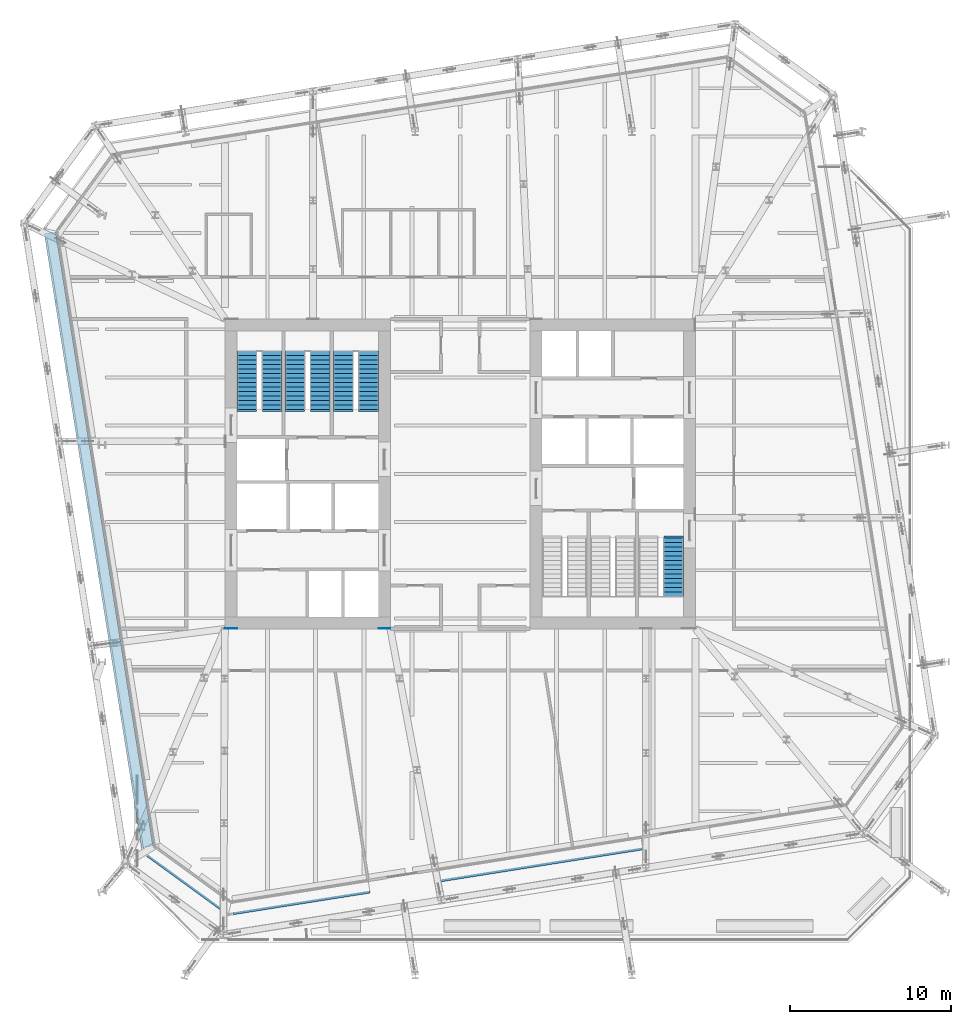
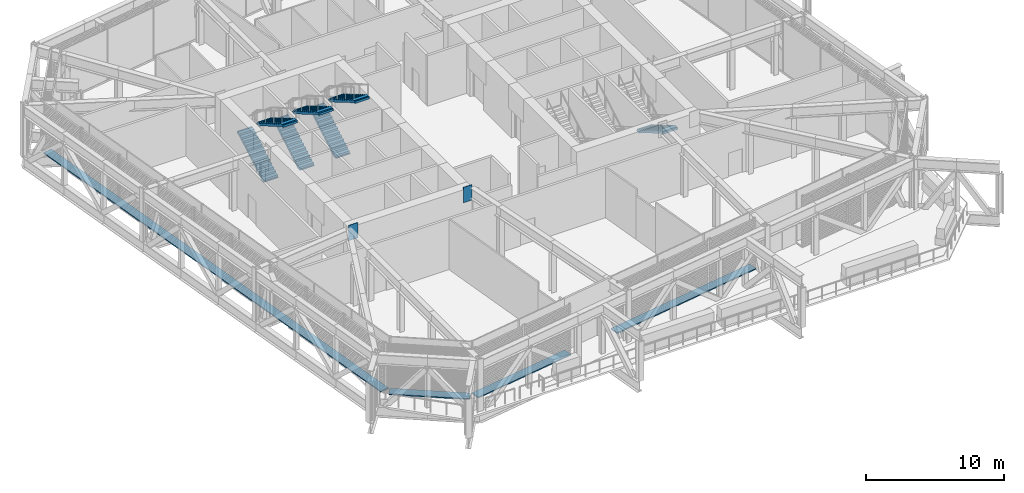
# One storey, part 22 of 32: 7 stair flights, 6 discrete accessories, 4 elements without a shape of their own.
"""IFC4 building model written with IfcOpenShell, lengths in metres."""

from ifc_helpers import new_model, si_unit, direction, frame, origin, origin_2d, place, context, subcontext, project, spatial, polyline, rectangle, outline, extrude, material, layer, layer_set, type_object, element, aggregate, save


model = new_model("IFC4")

# Units and contexts
model_context = context("Model", 3, precision=1e-05, world=origin(), true_north=direction((0.0, 1.0)))
body_context = subcontext(model_context, "Body", "Model", "MODEL_VIEW")
ifc_project = project(units=[si_unit("LENGTHUNIT", "METRE"), si_unit("AREAUNIT", "SQUARE_METRE"), si_unit("VOLUMEUNIT", "CUBIC_METRE"), si_unit("PLANEANGLEUNIT", "RADIAN"), si_unit("MASSUNIT", "GRAM", prefix="KILO")], contexts=[model_context])

# Site, building, storey
site_placement = place(None, origin())
site = spatial("IfcSite", under=ifc_project, at=site_placement, CompositionType="ELEMENT")
building_placement = place(site_placement, origin())
building = spatial("IfcBuilding", under=site, at=building_placement, Name="Millrace Tower", CompositionType="ELEMENT")
storey_placement = place(building_placement, frame((0.0, 0.0, 124.89990234375)))
storey = spatial("IfcBuildingStorey", under=building, at=storey_placement, Name="L27", CompositionType="ELEMENT", Elevation=124.89990234375)

# Stair, stair flights
ifc_material_1 = material(Name="Concrete C35", Category="concrete")
stair_type = type_object("IfcStairType", Name="Exit stair", PredefinedType="HALF_TURN_STAIR", material=ifc_material_1)
placement = place(storey_placement, origin())
stair_1 = element("IfcStair", 1, at=placement, inside=storey, type_object=stair_type, Name="Stair 1 W L27", PredefinedType="HALF_TURN_STAIR")
ifc_material_2 = material(Name="Concrete C35", Category="concrete")
stair_flight_type = type_object("IfcStairFlightType", Name="Exit stair flight", PredefinedType="STRAIGHT", material=ifc_material_2)
stair_flight_1_placement = place(storey_placement, frame((-13.2900390625, 4.0, 0.0), z_axis=(0.0, 0.0, 1.0), x_axis=(0.0, 1.0, 0.0)))
stair_flight_1 = element("IfcStairFlight", 2, at=stair_flight_1_placement, type_object=stair_flight_type, Name="ST12 flight 1", NumberOfRisers=14, NumberOfTreads=13, PredefinedType="STRAIGHT", RiserHeight=0.164285714, TreadLength=0.28, context=body_context, shape_type="SweptSolid", body=[
    extrude(outline(polyline([(-0.1201171875, -0.0400390625), (-0.1201171875, 0.0), (0.0, 0.0), (0.0, 0.164306640625), (0.280029296875, 0.164306640625), (0.280029296875, 0.32861328125), (0.56005859375, 0.32861328125), (0.56005859375, 0.492919921875), (0.840087890625, 0.492919921875), (0.840087890625, 0.6572265625), (1.1201171875, 0.6572265625), (1.1201171875, 0.821533203125), (1.39990234375, 0.821533203125), (1.39990234375, 0.985595703125), (1.679931640625, 0.985595703125), (1.679931640625, 1.14990234375), (1.9599609375, 1.14990234375), (1.9599609375, 1.314208984375), (2.239990234375, 1.314208984375), (2.239990234375, 1.478515625), (2.52001953125, 1.478515625), (2.52001953125, 1.642822265625), (2.800048828125, 1.642822265625), (2.800048828125, 1.80712890625), (3.080078125, 1.80712890625), (3.080078125, 1.971435546875), (3.360107421875, 1.971435546875), (3.360107421875, 2.1357421875), (3.639892578125, 2.1357421875), (3.639892578125, 2.15576171875), (3.760009765625, 2.15576171875), (3.760009765625, 1.9619140625), (3.639892578125, 1.9619140625), (0.296142578125, 0.0), (0.296142578125, -0.0400390625), (-0.1201171875, -0.0400390625)])), frame((0.0, 0.60986328125, 0.0), z_axis=(0.0, -1.0, 0.0), x_axis=(1.0, 0.0, 0.0)), (0.0, 0.0, 1.0), 1.219970703125),
])
stair_flight_2_placement = place(storey_placement, frame((-11.7099609375, 7.639892578125, 2.300048828125), z_axis=(0.0, 0.0, 1.0), x_axis=(0.0, -1.0, 0.0)))
stair_flight_2 = element("IfcStairFlight", 3, at=stair_flight_2_placement, type_object=stair_flight_type, Name="ST12 flight 2", NumberOfRisers=14, NumberOfTreads=13, PredefinedType="STRAIGHT", RiserHeight=0.164285714, TreadLength=0.28, context=body_context, shape_type="SweptSolid", body=[
    extrude(outline(polyline([(-0.1201171875, -0.0400390625), (-0.1201171875, 0.0), (0.0, 0.0), (0.0, 0.164306640625), (0.280029296875, 0.164306640625), (0.280029296875, 0.32861328125), (0.56005859375, 0.32861328125), (0.56005859375, 0.492919921875), (0.840087890625, 0.492919921875), (0.840087890625, 0.6572265625), (1.1201171875, 0.6572265625), (1.1201171875, 0.821533203125), (1.39990234375, 0.821533203125), (1.39990234375, 0.985595703125), (1.679931640625, 0.985595703125), (1.679931640625, 1.14990234375), (1.9599609375, 1.14990234375), (1.9599609375, 1.314208984375), (2.239990234375, 1.314208984375), (2.239990234375, 1.478515625), (2.52001953125, 1.478515625), (2.52001953125, 1.642822265625), (2.800048828125, 1.642822265625), (2.800048828125, 1.80712890625), (3.080078125, 1.80712890625), (3.080078125, 1.971435546875), (3.360107421875, 1.971435546875), (3.360107421875, 2.1357421875), (3.639892578125, 2.1357421875), (3.639892578125, 2.15576171875), (3.760009765625, 2.15576171875), (3.760009765625, 1.9619140625), (3.639892578125, 1.9619140625), (0.296142578125, 0.0), (0.296142578125, -0.0400390625), (-0.1201171875, -0.0400390625)])), frame((0.0, 0.60986328125, 0.0), z_axis=(0.0, -1.0, 0.0), x_axis=(1.0, 0.0, 0.0)), (0.0, 0.0, 1.0), 1.219970703125),
])
aggregate(stair_1, [stair_flight_1, stair_flight_2])

stair_2 = element("IfcStair", 4, at=placement, inside=storey, type_object=stair_type, Name="Stair 2 W L27", PredefinedType="HALF_TURN_STAIR")
stair_flight_3_placement = place(storey_placement, frame((-10.2900390625, 4.0, 0.0), z_axis=(0.0, 0.0, 1.0), x_axis=(0.0, 1.0, 0.0)))
stair_flight_3 = element("IfcStairFlight", 5, at=stair_flight_3_placement, type_object=stair_flight_type, Name="ST12 flight 1", NumberOfRisers=14, NumberOfTreads=13, PredefinedType="STRAIGHT", RiserHeight=0.164285714, TreadLength=0.28, context=body_context, shape_type="SweptSolid", body=[
    extrude(outline(polyline([(-0.1201171875, -0.0400390625), (-0.1201171875, 0.0), (0.0, 0.0), (0.0, 0.164306640625), (0.280029296875, 0.164306640625), (0.280029296875, 0.32861328125), (0.56005859375, 0.32861328125), (0.56005859375, 0.492919921875), (0.840087890625, 0.492919921875), (0.840087890625, 0.6572265625), (1.1201171875, 0.6572265625), (1.1201171875, 0.821533203125), (1.39990234375, 0.821533203125), (1.39990234375, 0.985595703125), (1.679931640625, 0.985595703125), (1.679931640625, 1.14990234375), (1.9599609375, 1.14990234375), (1.9599609375, 1.314208984375), (2.239990234375, 1.314208984375), (2.239990234375, 1.478515625), (2.52001953125, 1.478515625), (2.52001953125, 1.642822265625), (2.800048828125, 1.642822265625), (2.800048828125, 1.80712890625), (3.080078125, 1.80712890625), (3.080078125, 1.971435546875), (3.360107421875, 1.971435546875), (3.360107421875, 2.1357421875), (3.639892578125, 2.1357421875), (3.639892578125, 2.15576171875), (3.760009765625, 2.15576171875), (3.760009765625, 1.9619140625), (3.639892578125, 1.9619140625), (0.296142578125, 0.0), (0.296142578125, -0.0400390625), (-0.1201171875, -0.0400390625)])), frame((0.0, 0.60986328125, 0.0), z_axis=(0.0, -1.0, 0.0), x_axis=(1.0, 0.0, 0.0)), (0.0, 0.0, 1.0), 1.219970703125),
])
stair_flight_4_placement = place(storey_placement, frame((-8.7099609375, 7.639892578125, 2.300048828125), z_axis=(0.0, 0.0, 1.0), x_axis=(0.0, -1.0, 0.0)))
stair_flight_4 = element("IfcStairFlight", 6, at=stair_flight_4_placement, type_object=stair_flight_type, Name="ST12 flight 2", NumberOfRisers=14, NumberOfTreads=13, PredefinedType="STRAIGHT", RiserHeight=0.164285714, TreadLength=0.28, context=body_context, shape_type="SweptSolid", body=[
    extrude(outline(polyline([(-0.1201171875, -0.0400390625), (-0.1201171875, 0.0), (0.0, 0.0), (0.0, 0.164306640625), (0.280029296875, 0.164306640625), (0.280029296875, 0.32861328125), (0.56005859375, 0.32861328125), (0.56005859375, 0.492919921875), (0.840087890625, 0.492919921875), (0.840087890625, 0.6572265625), (1.1201171875, 0.6572265625), (1.1201171875, 0.821533203125), (1.39990234375, 0.821533203125), (1.39990234375, 0.985595703125), (1.679931640625, 0.985595703125), (1.679931640625, 1.14990234375), (1.9599609375, 1.14990234375), (1.9599609375, 1.314208984375), (2.239990234375, 1.314208984375), (2.239990234375, 1.478515625), (2.52001953125, 1.478515625), (2.52001953125, 1.642822265625), (2.800048828125, 1.642822265625), (2.800048828125, 1.80712890625), (3.080078125, 1.80712890625), (3.080078125, 1.971435546875), (3.360107421875, 1.971435546875), (3.360107421875, 2.1357421875), (3.639892578125, 2.1357421875), (3.639892578125, 2.15576171875), (3.760009765625, 2.15576171875), (3.760009765625, 1.9619140625), (3.639892578125, 1.9619140625), (0.296142578125, 0.0), (0.296142578125, -0.0400390625), (-0.1201171875, -0.0400390625)])), frame((0.0, 0.60986328125, 0.0), z_axis=(0.0, -1.0, 0.0), x_axis=(1.0, 0.0, 0.0)), (0.0, 0.0, 1.0), 1.219970703125),
])
aggregate(stair_2, [stair_flight_3, stair_flight_4])

stair_3 = element("IfcStair", 7, at=placement, inside=storey, type_object=stair_type, Name="Stair 3 W L27", PredefinedType="HALF_TURN_STAIR")
stair_flight_5_placement = place(storey_placement, frame((-7.2900390625, 4.0, 0.0), z_axis=(0.0, 0.0, 1.0), x_axis=(0.0, 1.0, 0.0)))
stair_flight_5 = element("IfcStairFlight", 8, at=stair_flight_5_placement, type_object=stair_flight_type, Name="ST12 flight 1", NumberOfRisers=14, NumberOfTreads=13, PredefinedType="STRAIGHT", RiserHeight=0.164285714, TreadLength=0.28, context=body_context, shape_type="SweptSolid", body=[
    extrude(outline(polyline([(-0.1201171875, -0.0400390625), (-0.1201171875, 0.0), (0.0, 0.0), (0.0, 0.164306640625), (0.280029296875, 0.164306640625), (0.280029296875, 0.32861328125), (0.56005859375, 0.32861328125), (0.56005859375, 0.492919921875), (0.840087890625, 0.492919921875), (0.840087890625, 0.6572265625), (1.1201171875, 0.6572265625), (1.1201171875, 0.821533203125), (1.39990234375, 0.821533203125), (1.39990234375, 0.985595703125), (1.679931640625, 0.985595703125), (1.679931640625, 1.14990234375), (1.9599609375, 1.14990234375), (1.9599609375, 1.314208984375), (2.239990234375, 1.314208984375), (2.239990234375, 1.478515625), (2.52001953125, 1.478515625), (2.52001953125, 1.642822265625), (2.800048828125, 1.642822265625), (2.800048828125, 1.80712890625), (3.080078125, 1.80712890625), (3.080078125, 1.971435546875), (3.360107421875, 1.971435546875), (3.360107421875, 2.1357421875), (3.639892578125, 2.1357421875), (3.639892578125, 2.15576171875), (3.760009765625, 2.15576171875), (3.760009765625, 1.9619140625), (3.639892578125, 1.9619140625), (0.296142578125, 0.0), (0.296142578125, -0.0400390625), (-0.1201171875, -0.0400390625)])), frame((0.0, 0.60986328125, 0.0), z_axis=(0.0, -1.0, 0.0), x_axis=(1.0, 0.0, 0.0)), (0.0, 0.0, 1.0), 1.219970703125),
])
stair_flight_6_placement = place(storey_placement, frame((-5.7099609375, 7.639892578125, 2.300048828125), z_axis=(0.0, 0.0, 1.0), x_axis=(0.0, -1.0, 0.0)))
stair_flight_6 = element("IfcStairFlight", 9, at=stair_flight_6_placement, type_object=stair_flight_type, Name="ST12 flight 2", NumberOfRisers=14, NumberOfTreads=13, PredefinedType="STRAIGHT", RiserHeight=0.164285714, TreadLength=0.28, context=body_context, shape_type="SweptSolid", body=[
    extrude(outline(polyline([(-0.1201171875, -0.0400390625), (-0.1201171875, 0.0), (0.0, 0.0), (0.0, 0.164306640625), (0.280029296875, 0.164306640625), (0.280029296875, 0.32861328125), (0.56005859375, 0.32861328125), (0.56005859375, 0.492919921875), (0.840087890625, 0.492919921875), (0.840087890625, 0.6572265625), (1.1201171875, 0.6572265625), (1.1201171875, 0.821533203125), (1.39990234375, 0.821533203125), (1.39990234375, 0.985595703125), (1.679931640625, 0.985595703125), (1.679931640625, 1.14990234375), (1.9599609375, 1.14990234375), (1.9599609375, 1.314208984375), (2.239990234375, 1.314208984375), (2.239990234375, 1.478515625), (2.52001953125, 1.478515625), (2.52001953125, 1.642822265625), (2.800048828125, 1.642822265625), (2.800048828125, 1.80712890625), (3.080078125, 1.80712890625), (3.080078125, 1.971435546875), (3.360107421875, 1.971435546875), (3.360107421875, 2.1357421875), (3.639892578125, 2.1357421875), (3.639892578125, 2.15576171875), (3.760009765625, 2.15576171875), (3.760009765625, 1.9619140625), (3.639892578125, 1.9619140625), (0.296142578125, 0.0), (0.296142578125, -0.0400390625), (-0.1201171875, -0.0400390625)])), frame((0.0, 0.60986328125, 0.0), z_axis=(0.0, -1.0, 0.0), x_axis=(1.0, 0.0, 0.0)), (0.0, 0.0, 1.0), 1.219970703125),
])
aggregate(stair_3, [stair_flight_5, stair_flight_6])

# Stair, stair flight
stair_4 = element("IfcStair", 10, at=placement, inside=storey, type_object=stair_type, Name="Stair 1 E L27", PredefinedType="HALF_TURN_STAIR")
stair_flight_7_placement = place(storey_placement, frame((13.2900390625, -4.0, 0.0), z_axis=(0.0, 0.0, 1.0), x_axis=(0.0, -1.0, 0.0)))
stair_flight_7 = element("IfcStairFlight", 11, at=stair_flight_7_placement, type_object=stair_flight_type, Name="ST12 flight 1", NumberOfRisers=14, NumberOfTreads=13, PredefinedType="STRAIGHT", RiserHeight=0.164285714, TreadLength=0.28, context=body_context, shape_type="SweptSolid", body=[
    extrude(outline(polyline([(-0.1201171875, -0.0400390625), (-0.1201171875, 0.0), (0.0, 0.0), (0.0, 0.164306640625), (0.280029296875, 0.164306640625), (0.280029296875, 0.32861328125), (0.56005859375, 0.32861328125), (0.56005859375, 0.492919921875), (0.840087890625, 0.492919921875), (0.840087890625, 0.6572265625), (1.1201171875, 0.6572265625), (1.1201171875, 0.821533203125), (1.39990234375, 0.821533203125), (1.39990234375, 0.985595703125), (1.679931640625, 0.985595703125), (1.679931640625, 1.14990234375), (1.9599609375, 1.14990234375), (1.9599609375, 1.314208984375), (2.239990234375, 1.314208984375), (2.239990234375, 1.478515625), (2.52001953125, 1.478515625), (2.52001953125, 1.642822265625), (2.800048828125, 1.642822265625), (2.800048828125, 1.80712890625), (3.080078125, 1.80712890625), (3.080078125, 1.971435546875), (3.360107421875, 1.971435546875), (3.360107421875, 2.1357421875), (3.639892578125, 2.1357421875), (3.639892578125, 2.15576171875), (3.760009765625, 2.15576171875), (3.760009765625, 1.9619140625), (3.639892578125, 1.9619140625), (0.296142578125, 0.0), (0.296142578125, -0.0400390625), (-0.1201171875, -0.0400390625)])), frame((0.0, 0.60986328125, 0.0), z_axis=(0.0, -1.0, 0.0), x_axis=(1.0, 0.0, 0.0)), (0.0, 0.0, 1.0), 1.219970703125),
])
aggregate(stair_4, [stair_flight_7])

# Discrete accessories
ifc_material_3 = material(Name="Steel ASTM A572 Grade 50", Category="steel")
ifc_layer_1 = layer(ifc_material_3, 0.0400390625)
ifc_layer_set_1 = layer_set([ifc_layer_1], Name="Steel ASTM A572 Grade 50")
discrete_accessory_type_1 = type_object("IfcDiscreteAccessoryType", Name="Cast-in anchor plate 730x1360x40", PredefinedType="ANCHORPLATE", material=ifc_layer_set_1)
discrete_accessory_1_placement = place(storey_placement, frame((-4.715087890625, -9.610107421875, 3.961181640625), z_axis=(0.0, -1.0, 0.0), x_axis=(1.0, 0.0, 0.0)))
element("IfcDiscreteAccessory", 12, at=discrete_accessory_1_placement, inside=storey, type_object=discrete_accessory_type_1, Name="Cast-in anchor plate TRS-L27-C03-T04", PredefinedType="ANCHORPLATE", context=body_context, shape_type="SweptSolid", body=[
    extrude(rectangle(XDim=0.72998046875, YDim=1.360107421875, at=origin_2d()), origin(), (0.0, 0.0, 1.0), 0.039794921875),
])
ifc_material_4 = material(Name="Steel ASTM A572 Grade 50", Category="steel")
ifc_layer_2 = layer(ifc_material_4, 0.0400390625)
ifc_layer_set_2 = layer_set([ifc_layer_2], Name="Steel ASTM A572 Grade 50")
discrete_accessory_type_2 = type_object("IfcDiscreteAccessoryType", Name="Cast-in anchor plate 760x1360x40", PredefinedType="ANCHORPLATE", material=ifc_layer_set_2)
discrete_accessory_2_placement = place(storey_placement, frame((-14.27001953125, -9.610107421875, 3.961181640625), z_axis=(0.0, -1.0, 0.0), x_axis=(1.0, 0.0, 0.0)))
element("IfcDiscreteAccessory", 13, at=discrete_accessory_2_placement, inside=storey, type_object=discrete_accessory_type_2, Name="Cast-in anchor plate TRS-L27-C01-T04", PredefinedType="ANCHORPLATE", context=body_context, shape_type="SweptSolid", body=[
    extrude(rectangle(XDim=0.760009765625, YDim=1.360107421875, at=origin_2d()), origin(), (0.0, 0.0, 1.0), 0.039794921875),
])
ifc_material_5 = material(Name="Stainless steel ASTM A240 type 316", Category="steel")
discrete_accessory_type_3 = type_object("IfcDiscreteAccessoryType", Name="Thermally broken screen support rail", PredefinedType="BRACKET", material=ifc_material_5)
discrete_accessory_3_placement = place(storey_placement, frame((-16.909423828125, -25.275390625, 0.0), z_axis=(0.0, 0.0, 1.0), x_axis=(0.809016981623, -0.587785269844, 0.0)))
element("IfcDiscreteAccessory", 14, at=discrete_accessory_3_placement, inside=storey, type_object=discrete_accessory_type_3, Name="Thermally broken screen support rail C-F01 L27 1", PredefinedType="BRACKET", context=body_context, shape_type="SweptSolid", body=[
    extrude(rectangle(XDim=5.868896484375, YDim=0.719970703125, at=origin_2d()), origin(), (0.0, 0.0, 1.0), 0.10009765625),
])
discrete_accessory_4_placement = place(storey_placement, frame((-9.90869140625, -26.418701171875, 0.0), z_axis=(0.0, 0.0, 1.0), x_axis=(0.98768833929, 0.15643447328, 0.0)))
element("IfcDiscreteAccessory", 15, at=discrete_accessory_4_placement, inside=storey, type_object=discrete_accessory_type_3, Name="Thermally broken screen support rail C-F02 L27 1", PredefinedType="BRACKET", context=body_context, shape_type="SweptSolid", body=[
    extrude(rectangle(XDim=8.60009765625, YDim=0.719970703125, at=origin_2d()), origin(), (0.0, 0.0, 1.0), 0.10009765625),
])
discrete_accessory_5_placement = place(storey_placement, frame((4.9560546875, -24.064453125, 0.0), z_axis=(0.0, 0.0, 1.0), x_axis=(0.98768833929, 0.15643447328, 0.0)))
element("IfcDiscreteAccessory", 16, at=discrete_accessory_5_placement, inside=storey, type_object=discrete_accessory_type_3, Name="Thermally broken screen support rail C-F02 L27 2", PredefinedType="BRACKET", context=body_context, shape_type="SweptSolid", body=[
    extrude(rectangle(XDim=12.89990234375, YDim=0.719970703125, at=origin_2d()), origin(), (0.0, 0.0, 1.0), 0.10009765625),
])
discrete_accessory_6_placement = place(storey_placement, frame((-22.514404296875, -4.10595703125, 0.0), z_axis=(0.0, 0.0, 1.0), x_axis=(0.15643447328, -0.98768833929, 0.0)))
element("IfcDiscreteAccessory", 17, at=discrete_accessory_6_placement, inside=storey, type_object=discrete_accessory_type_3, Name="Thermally broken screen support rail C-F08 L27 1", PredefinedType="BRACKET", context=body_context, shape_type="SweptSolid", body=[
    extrude(rectangle(XDim=38.699951171875, YDim=0.719970703125, at=origin_2d()), origin(), (0.0, 0.0, 1.0), 0.10009765625),
])

save(model, "model.ifc")
